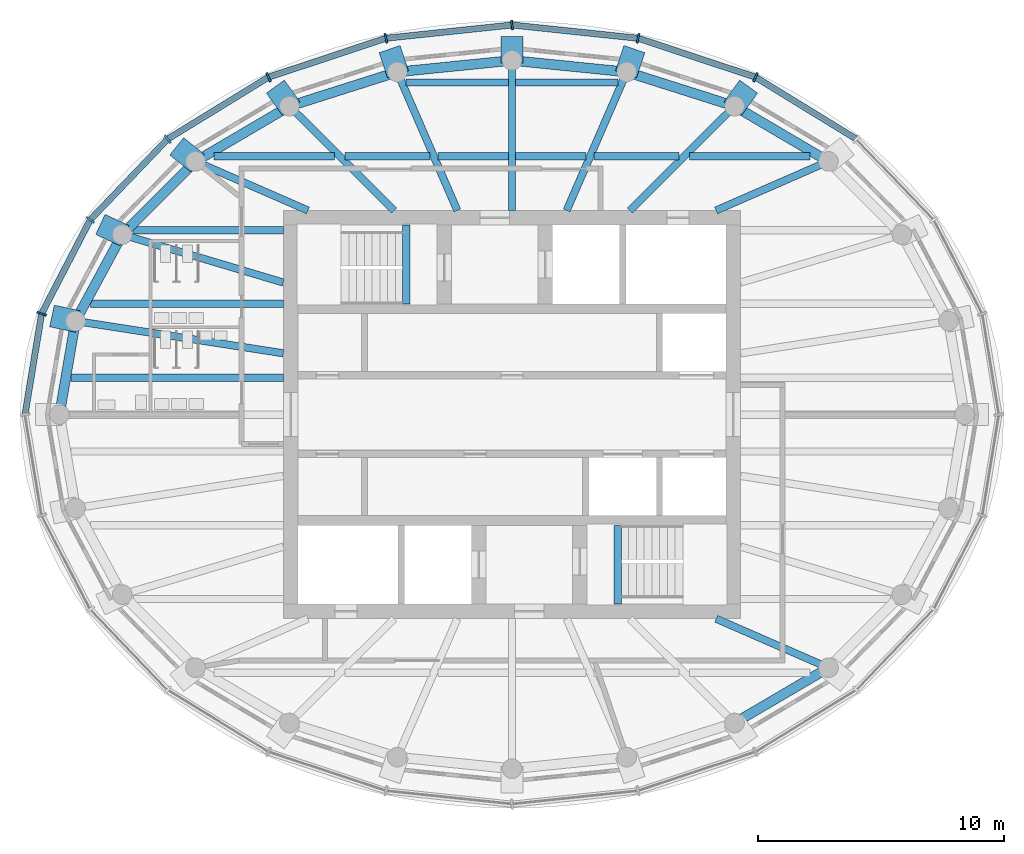
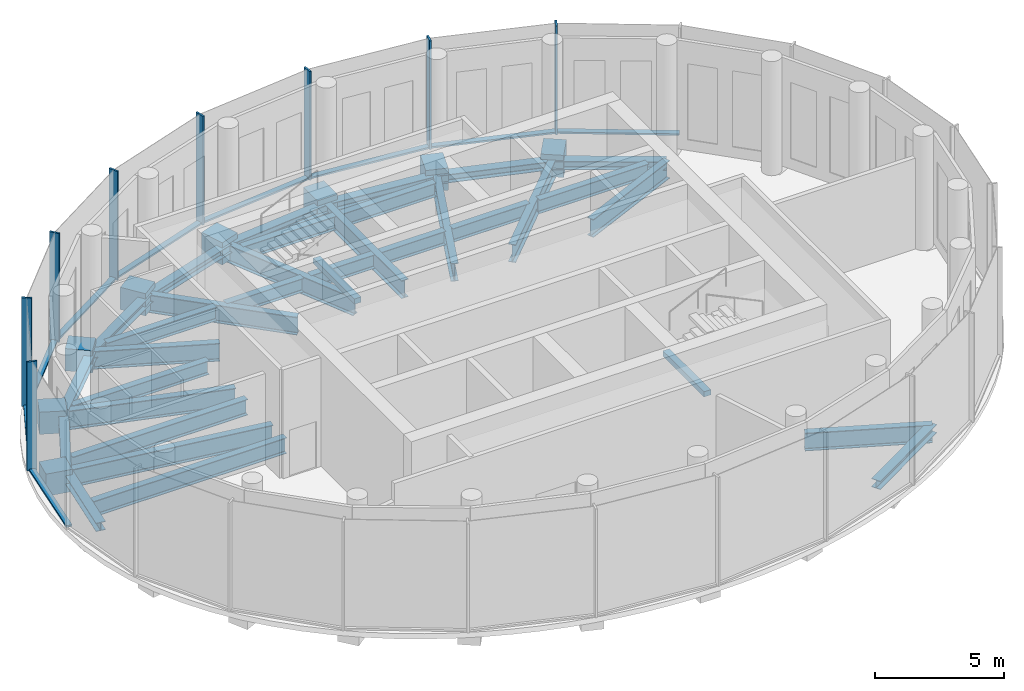
# One storey, part 2 of 11: 41 beams, 17 members, 2 elements without a shape of their own.
"""IFC4 building model written with IfcOpenShell, lengths in metres."""

from ifc_helpers import new_model, si_unit, direction, frame, origin, origin_2d, place, context, subcontext, project, spatial, rectangle, i_section, extrude, material, material_profile, profile_set, type_object, element, aggregate, save


model = new_model("IFC4")

# Units and contexts
model_context = context("Model", 3, precision=1e-05, world=origin(), true_north=direction((0.0, 1.0)))
body_context = subcontext(model_context, "Body", "Model", "MODEL_VIEW")
ifc_project = project(units=[si_unit("LENGTHUNIT", "METRE"), si_unit("AREAUNIT", "SQUARE_METRE"), si_unit("VOLUMEUNIT", "CUBIC_METRE"), si_unit("PLANEANGLEUNIT", "RADIAN"), si_unit("MASSUNIT", "GRAM", prefix="KILO")], contexts=[model_context])

# Site, building, storey
site_placement = place(None, origin())
site = spatial("IfcSite", under=ifc_project, at=site_placement, CompositionType="ELEMENT")
building_placement = place(site_placement, origin())
building = spatial("IfcBuilding", under=site, at=building_placement, Name="Hankou Lantern Tower", CompositionType="ELEMENT")
storey_placement = place(building_placement, frame((0.0, 0.0, 237.300048828125)))
storey = spatial("IfcBuildingStorey", under=building, at=storey_placement, Name="L64", CompositionType="ELEMENT", Elevation=237.300048828125)

# Beams
ifc_material_1 = material(Name="Steel Q355B", Category="steel")
ifc_material_profile_1 = material_profile(ifc_material_1, i_section(OverallWidth=0.39990234375, OverallDepth=0.39990234375, WebThickness=0.012939453125, FlangeThickness=0.02099609375, FilletRadius=0.02197265625, at=origin_2d()), Name="HW400x400x13x21")
ifc_profile_set_1 = profile_set([ifc_material_profile_1], Name="Steel Q355B")
beam_type_1 = type_object("IfcBeamType", Name="EB19 RING BEAM HW400x400x13x21", PredefinedType="SPANDREL", material=ifc_profile_set_1)
beam_1_placement = place(storey_placement, frame((12.866943359375, 10.293701171875, -0.449951171875), z_axis=(-0.862064554074, 0.506798485207, 0.0), x_axis=(-0.506798485207, -0.862064554074, 0.0)))
element("IfcBeam", 1, at=beam_1_placement, inside=storey, type_object=beam_type_1, Name="Ring beam R04-R05 L64", PredefinedType="SPANDREL", context=body_context, shape_type="SweptSolid", body=[
    extrude(i_section(OverallWidth=0.39990234375, OverallDepth=0.39990234375, WebThickness=0.012939453125, FlangeThickness=0.02099609375, FilletRadius=0.02197265625, at=origin_2d()), origin(), (0.0, 0.0, 1.0), 4.428955078125),
])
beam_2_placement = place(storey_placement, frame((9.048828125, 12.538330078125, -0.449951171875), z_axis=(-0.953150024165, 0.302497985836, 0.0), x_axis=(-0.302497985836, -0.953150024165, 0.0)))
element("IfcBeam", 2, at=beam_2_placement, inside=storey, type_object=beam_type_1, Name="Ring beam R05-R06 L64", PredefinedType="SPANDREL", context=body_context, shape_type="SweptSolid", body=[
    extrude(i_section(OverallWidth=0.39990234375, OverallDepth=0.39990234375, WebThickness=0.012939453125, FlangeThickness=0.02099609375, FilletRadius=0.02197265625, at=origin_2d()), origin(), (0.0, 0.0, 1.0), 4.5986328125),
])
for number, where, z_axis, x_axis, name in (
    (3, (4.66552734375, 13.929443359375, -0.449951171875), (-0.994954369815, 0.100328470467, 0.0), (-0.100328470467, -0.994954369815, 0.0), "Ring beam R06-R07 L64"),
    (4, (0.0, 14.39990234375, -0.449951171875), (-0.994954369815, -0.100328470467, 0.0), (0.100328470467, -0.994954369815, 0.0), "Ring beam R07-R08 L64"),
):
    element("IfcBeam", number, at=place(storey_placement, frame(where, z_axis=z_axis, x_axis=x_axis)), inside=storey, type_object=beam_type_1, Name=name, PredefinedType="SPANDREL", context=body_context, shape_type="SweptSolid", body=[
        extrude(i_section(OverallWidth=0.39990234375, OverallDepth=0.39990234375, WebThickness=0.012939453125, FlangeThickness=0.02099609375, FilletRadius=0.02197265625, at=origin_2d()), origin(), (0.0, 0.0, 1.0), 4.689208984375),
    ])
beam_3_placement = place(storey_placement, frame((-4.66552734375, 13.929443359375, -0.449951171875), z_axis=(-0.953150024165, -0.302497985836, 0.0), x_axis=(0.302497985836, -0.953150024165, 0.0)))
element("IfcBeam", 5, at=beam_3_placement, inside=storey, type_object=beam_type_1, Name="Ring beam R08-R09 L64", PredefinedType="SPANDREL", context=body_context, shape_type="SweptSolid", body=[
    extrude(i_section(OverallWidth=0.39990234375, OverallDepth=0.39990234375, WebThickness=0.012939453125, FlangeThickness=0.02099609375, FilletRadius=0.02197265625, at=origin_2d()), origin(), (0.0, 0.0, 1.0), 4.5986328125),
])
beam_4_placement = place(storey_placement, frame((-9.048828125, 12.538330078125, -0.449951171875), z_axis=(-0.862064554074, -0.506798485207, 0.0), x_axis=(0.506798485207, -0.862064554074, 0.0)))
element("IfcBeam", 6, at=beam_4_placement, inside=storey, type_object=beam_type_1, Name="Ring beam R09-R10 L64", PredefinedType="SPANDREL", context=body_context, shape_type="SweptSolid", body=[
    extrude(i_section(OverallWidth=0.39990234375, OverallDepth=0.39990234375, WebThickness=0.012939453125, FlangeThickness=0.02099609375, FilletRadius=0.02197265625, at=origin_2d()), origin(), (0.0, 0.0, 1.0), 4.428955078125),
])
beam_5_placement = place(storey_placement, frame((-12.866943359375, 10.293701171875, -0.449951171875), z_axis=(-0.707657475865, -0.706555657293, 0.0), x_axis=(0.706555657293, -0.707657475865, 0.0)))
element("IfcBeam", 7, at=beam_5_placement, inside=storey, type_object=beam_type_1, Name="Ring beam R10-R11 L64", PredefinedType="SPANDREL", context=body_context, shape_type="SweptSolid", body=[
    extrude(i_section(OverallWidth=0.39990234375, OverallDepth=0.39990234375, WebThickness=0.012939453125, FlangeThickness=0.02099609375, FilletRadius=0.02197265625, at=origin_2d()), origin(), (0.0, 0.0, 1.0), 4.2099609375),
])
beam_6_placement = place(storey_placement, frame((-15.84619140625, 7.319091796875, -0.449951171875), z_axis=(-0.475556651725, -0.879685097634, 0.0), x_axis=(0.879685097634, -0.475556651725, 0.0)))
element("IfcBeam", 8, at=beam_6_placement, inside=storey, type_object=beam_type_1, Name="Ring beam R11-R12 L64", PredefinedType="SPANDREL", context=body_context, shape_type="SweptSolid", body=[
    extrude(i_section(OverallWidth=0.39990234375, OverallDepth=0.39990234375, WebThickness=0.012939453125, FlangeThickness=0.02099609375, FilletRadius=0.02197265625, at=origin_2d()), origin(), (0.0, 0.0, 1.0), 3.99560546875),
])
beam_7_placement = place(storey_placement, frame((-17.746337890625, 3.80419921875, -0.449951171875), z_axis=(-0.169320180804, -0.98556109723, 0.0), x_axis=(0.98556109723, -0.169320180804, 0.0)))
element("IfcBeam", 9, at=beam_7_placement, inside=storey, type_object=beam_type_1, Name="Ring beam R12-R13 L64", PredefinedType="SPANDREL", context=body_context, shape_type="SweptSolid", body=[
    extrude(i_section(OverallWidth=0.39990234375, OverallDepth=0.39990234375, WebThickness=0.012939453125, FlangeThickness=0.02099609375, FilletRadius=0.02197265625, at=origin_2d()), origin(), (0.0, 0.0, 1.0), 3.85986328125),
])
beam_8_placement = place(storey_placement, frame((9.048828125, -12.538330078125, -0.449951171875), z_axis=(0.862064554074, 0.506798485207, 0.0), x_axis=(-0.506798485207, 0.862064554074, 0.0)))
element("IfcBeam", 10, at=beam_8_placement, inside=storey, type_object=beam_type_1, Name="Ring beam R21-R22 L64", PredefinedType="SPANDREL", context=body_context, shape_type="SweptSolid", body=[
    extrude(i_section(OverallWidth=0.39990234375, OverallDepth=0.39990234375, WebThickness=0.012939453125, FlangeThickness=0.02099609375, FilletRadius=0.02197265625, at=origin_2d()), origin(), (0.0, 0.0, 1.0), 4.428955078125),
])
ifc_material_2 = material(Name="Concrete C40", Category="concrete")
ifc_material_profile_2 = material_profile(ifc_material_2, rectangle(XDim=0.300048828125, YDim=0.25, at=origin_2d()), Name="RC 300x250")
ifc_profile_set_2 = profile_set([ifc_material_profile_2], Name="Concrete C40")
beam_type_2 = type_object("IfcBeamType", Name="LB1 STAIR LANDING BEAM RC 300x250", PredefinedType="BEAM", material=ifc_profile_set_2)
for number, where, z_axis, x_axis, name in (
    (11, (-4.300048828125, 4.5, 2.574951171875), (0.0, 1.0, 0.0), (-1.0, 0.0, 0.0), "Stair STA landing beam L64"),
    (12, (4.300048828125, -4.5, 2.574951171875), (0.0, -1.0, 0.0), (1.0, 0.0, 0.0), "Stair STB landing beam L64"),
):
    element("IfcBeam", number, at=place(storey_placement, frame(where, z_axis=z_axis, x_axis=x_axis)), inside=storey, type_object=beam_type_2, Name=name, PredefinedType="BEAM", context=body_context, shape_type="SweptSolid", body=[
        extrude(rectangle(XDim=0.300048828125, YDim=0.25, at=origin_2d()), origin(), (0.0, 0.0, 1.0), 3.199951171875),
    ])

# Curtain wall, members
ifc_material_3 = material(Name="Glass, dark grey tinted laminated", Category="glass")
curtain_wall_type = type_object("IfcCurtainWallType", Name="CWE OUTER SKIN CROWN", PredefinedType="USERDEFINED", material=ifc_material_3)
curtain_wall_1_placement = place(storey_placement, origin())
curtain_wall_1 = element("IfcCurtainWall", 13, at=curtain_wall_1_placement, inside=storey, type_object=curtain_wall_type, Name="CWE L64 OS1", ObjectType="OUTER SKIN CROWN", PredefinedType="USERDEFINED")
ifc_material_4 = material(Name="Aluminium, black anodised", Category="aluminium")
ifc_material_profile_3 = material_profile(ifc_material_4, rectangle(XDim=0.080078125, YDim=0.39990234375, at=origin_2d()), Name="MU3 80X400")
ifc_profile_set_3 = profile_set([ifc_material_profile_3], Name="Aluminium, black anodised")
member_type_1 = type_object("IfcMemberType", Name="MU3 OUTER SKIN TALL MULLION 80X400", PredefinedType="MULLION", material=ifc_profile_set_3)
member_1_placement = place(storey_placement, frame((9.89990234375, 13.7177734375, 0.0), z_axis=(0.0, 0.0, 1.0), x_axis=(-0.907841299004, 0.419313934686, 0.0)))
member_1 = element("IfcMember", 14, at=member_1_placement, type_object=member_type_1, Name="CWE mullion 5", PredefinedType="MULLION", context=body_context, shape_type="SweptSolid", body=[
    extrude(rectangle(XDim=0.080078125, YDim=0.39990234375, at=origin_2d()), origin(), (0.0, 0.0, 1.0), 5.14990234375),
])
member_2_placement = place(storey_placement, frame((5.12451171875, 15.30029296875, 0.0), z_axis=(0.0, 0.0, 1.0), x_axis=(-0.977787659625, 0.209597931016, 0.0)))
member_2 = element("IfcMember", 15, at=member_2_placement, type_object=member_type_1, Name="CWE mullion 6", PredefinedType="MULLION", context=body_context, shape_type="SweptSolid", body=[
    extrude(rectangle(XDim=0.080078125, YDim=0.39990234375, at=origin_2d()), origin(), (0.0, 0.0, 1.0), 5.14990234375),
])

curtain_wall_2_placement = place(storey_placement, origin())
curtain_wall_2 = element("IfcCurtainWall", 16, at=curtain_wall_2_placement, inside=storey, type_object=curtain_wall_type, Name="CWE L64 OS2", ObjectType="OUTER SKIN CROWN", PredefinedType="USERDEFINED")
member_3_placement = place(storey_placement, frame((0.0, 15.840087890625, 0.0), z_axis=(0.0, 0.0, 1.0), x_axis=(-0.994499359107, -0.104742659579, 0.0)))
member_3 = element("IfcMember", 17, at=member_3_placement, type_object=member_type_1, Name="CWE mullion 1", PredefinedType="MULLION", context=body_context, shape_type="SweptSolid", body=[
    extrude(rectangle(XDim=0.080078125, YDim=0.39990234375, at=origin_2d()), origin(), (0.0, 0.0, 1.0), 5.14990234375),
])
member_4_placement = place(storey_placement, frame((-5.12451171875, 15.30029296875, 0.0), z_axis=(0.0, 0.0, 1.0), x_axis=(-0.977787659625, -0.209597931016, 0.0)))
member_4 = element("IfcMember", 18, at=member_4_placement, type_object=member_type_1, Name="CWE mullion 2", PredefinedType="MULLION", context=body_context, shape_type="SweptSolid", body=[
    extrude(rectangle(XDim=0.080078125, YDim=0.39990234375, at=origin_2d()), origin(), (0.0, 0.0, 1.0), 5.14990234375),
])
member_5_placement = place(storey_placement, frame((-9.89990234375, 13.7177734375, 0.0), z_axis=(0.0, 0.0, 1.0), x_axis=(-0.907841299004, -0.419313934686, 0.0)))
member_5 = element("IfcMember", 19, at=member_5_placement, type_object=member_type_1, Name="CWE mullion 3", PredefinedType="MULLION", context=body_context, shape_type="SweptSolid", body=[
    extrude(rectangle(XDim=0.080078125, YDim=0.39990234375, at=origin_2d()), origin(), (0.0, 0.0, 1.0), 5.14990234375),
])
member_6_placement = place(storey_placement, frame((-14.000732421875, 11.20068359375, 0.0), z_axis=(0.0, 0.0, 1.0), x_axis=(-0.780868809444, -0.624695047553, 0.0)))
member_6 = element("IfcMember", 20, at=member_6_placement, type_object=member_type_1, Name="CWE mullion 4", PredefinedType="MULLION", context=body_context, shape_type="SweptSolid", body=[
    extrude(rectangle(XDim=0.080078125, YDim=0.39990234375, at=origin_2d()), origin(), (0.0, 0.0, 1.0), 5.14990234375),
])
member_7_placement = place(storey_placement, frame((-17.147216796875, 7.919921875, 0.0), z_axis=(0.0, 0.0, 1.0), x_axis=(-0.585205735974, -0.810884854084, 0.0)))
member_7 = element("IfcMember", 21, at=member_7_placement, type_object=member_type_1, Name="CWE mullion 5", PredefinedType="MULLION", context=body_context, shape_type="SweptSolid", body=[
    extrude(rectangle(XDim=0.080078125, YDim=0.39990234375, at=origin_2d()), origin(), (0.0, 0.0, 1.0), 5.14990234375),
])
member_8_placement = place(storey_placement, frame((-19.125244140625, 4.099609375, 0.0), z_axis=(0.0, 0.0, 1.0), x_axis=(-0.317595577365, -0.94822626479, 0.0)))
member_8 = element("IfcMember", 22, at=member_8_placement, type_object=member_type_1, Name="CWE mullion 6", PredefinedType="MULLION", context=body_context, shape_type="SweptSolid", body=[
    extrude(rectangle(XDim=0.080078125, YDim=0.39990234375, at=origin_2d()), origin(), (0.0, 0.0, 1.0), 5.14990234375),
])

# Beams
ifc_material_5 = material(Name="Steel Q355B", Category="steel")
ifc_material_profile_4 = material_profile(ifc_material_5, i_section(OverallWidth=0.300048828125, OverallDepth=0.85009765625, WebThickness=0.01611328125, FlangeThickness=0.027099609375, FilletRadius=0.01806640625, at=origin_2d()), Name="HN850x300x16x27")
ifc_profile_set_4 = profile_set([ifc_material_profile_4], Name="Steel Q355B")
beam_type_3 = type_object("IfcBeamType", Name="RB12 RADIAL BEAM HN850x300x16x27", PredefinedType="BEAM", material=ifc_profile_set_4)
beam_9_placement = place(storey_placement, frame((8.300048828125, 8.300048828125, -0.675048828125), z_axis=(0.91647863232, 0.400083636882, 0.0), x_axis=(-0.400083636882, 0.91647863232, 0.0)))
element("IfcBeam", 23, at=beam_9_placement, inside=storey, type_object=beam_type_3, Name="Radial beam R04 L64", PredefinedType="BEAM", context=body_context, shape_type="SweptSolid", body=[
    extrude(i_section(OverallWidth=0.300048828125, OverallDepth=0.85009765625, WebThickness=0.01611328125, FlangeThickness=0.027099609375, FilletRadius=0.01806640625, at=origin_2d()), origin(), (0.0, 0.0, 1.0), 4.983154296875),
])
beam_10_placement = place(storey_placement, frame((4.7919921875, 8.300048828125, -0.675048828125), z_axis=(0.708649524574, 0.705560664522, 0.0), x_axis=(-0.705560664522, 0.708649524574, 0.0)))
element("IfcBeam", 24, at=beam_10_placement, inside=storey, type_object=beam_type_3, Name="Radial beam R05 L64", PredefinedType="BEAM", context=body_context, shape_type="SweptSolid", body=[
    extrude(i_section(OverallWidth=0.300048828125, OverallDepth=0.85009765625, WebThickness=0.01611328125, FlangeThickness=0.027099609375, FilletRadius=0.01806640625, at=origin_2d()), origin(), (0.0, 0.0, 1.0), 6.007080078125),
])
beam_11_placement = place(storey_placement, frame((2.223876953125, 8.300048828125, -0.675048828125), z_axis=(0.397915592164, 0.917422030209, 0.0), x_axis=(-0.917422030209, 0.397915592164, 0.0)))
element("IfcBeam", 25, at=beam_11_placement, inside=storey, type_object=beam_type_3, Name="Radial beam R06 L64", PredefinedType="BEAM", context=body_context, shape_type="SweptSolid", body=[
    extrude(i_section(OverallWidth=0.300048828125, OverallDepth=0.85009765625, WebThickness=0.01611328125, FlangeThickness=0.027099609375, FilletRadius=0.01806640625, at=origin_2d()), origin(), (0.0, 0.0, 1.0), 6.135986328125),
])
beam_12_placement = place(storey_placement, frame((0.0, 8.300048828125, -0.675048828125), z_axis=(0.0, 1.0, 0.0), x_axis=(-1.0, 0.0, 0.0)))
element("IfcBeam", 26, at=beam_12_placement, inside=storey, type_object=beam_type_3, Name="Radial beam R07 L64", PredefinedType="BEAM", context=body_context, shape_type="SweptSolid", body=[
    extrude(i_section(OverallWidth=0.300048828125, OverallDepth=0.85009765625, WebThickness=0.01611328125, FlangeThickness=0.027099609375, FilletRadius=0.01806640625, at=origin_2d()), origin(), (0.0, 0.0, 1.0), 6.099853515625),
])
beam_13_placement = place(storey_placement, frame((-2.223876953125, 8.300048828125, -0.675048828125), z_axis=(-0.397915592164, 0.917422030209, 0.0), x_axis=(-0.917422030209, -0.397915592164, 0.0)))
element("IfcBeam", 27, at=beam_13_placement, inside=storey, type_object=beam_type_3, Name="Radial beam R08 L64", PredefinedType="BEAM", context=body_context, shape_type="SweptSolid", body=[
    extrude(i_section(OverallWidth=0.300048828125, OverallDepth=0.85009765625, WebThickness=0.01611328125, FlangeThickness=0.027099609375, FilletRadius=0.01806640625, at=origin_2d()), origin(), (0.0, 0.0, 1.0), 6.135986328125),
])
beam_14_placement = place(storey_placement, frame((-4.7919921875, 8.300048828125, -0.675048828125), z_axis=(-0.708649524574, 0.705560664522, 0.0), x_axis=(-0.705560664522, -0.708649524574, 0.0)))
element("IfcBeam", 28, at=beam_14_placement, inside=storey, type_object=beam_type_3, Name="Radial beam R09 L64", PredefinedType="BEAM", context=body_context, shape_type="SweptSolid", body=[
    extrude(i_section(OverallWidth=0.300048828125, OverallDepth=0.85009765625, WebThickness=0.01611328125, FlangeThickness=0.027099609375, FilletRadius=0.01806640625, at=origin_2d()), origin(), (0.0, 0.0, 1.0), 6.007080078125),
])
beam_15_placement = place(storey_placement, frame((-8.300048828125, 8.300048828125, -0.675048828125), z_axis=(-0.91647863232, 0.400083636882, 0.0), x_axis=(-0.400083636882, -0.91647863232, 0.0)))
element("IfcBeam", 29, at=beam_15_placement, inside=storey, type_object=beam_type_3, Name="Radial beam R10 L64", PredefinedType="BEAM", context=body_context, shape_type="SweptSolid", body=[
    extrude(i_section(OverallWidth=0.300048828125, OverallDepth=0.85009765625, WebThickness=0.01611328125, FlangeThickness=0.027099609375, FilletRadius=0.01806640625, at=origin_2d()), origin(), (0.0, 0.0, 1.0), 4.983154296875),
])
beam_16_placement = place(storey_placement, frame((-9.300048828125, 2.491943359375, -0.675048828125), z_axis=(-0.988145083079, 0.153522945472, 0.0), x_axis=(-0.153522945472, -0.988145083079, 0.0)))
element("IfcBeam", 30, at=beam_16_placement, inside=storey, type_object=beam_type_3, Name="Radial beam R12 L64", PredefinedType="BEAM", context=body_context, shape_type="SweptSolid", body=[
    extrude(i_section(OverallWidth=0.300048828125, OverallDepth=0.85009765625, WebThickness=0.01611328125, FlangeThickness=0.027099609375, FilletRadius=0.01806640625, at=origin_2d()), origin(), (0.0, 0.0, 1.0), 8.547607421875),
])
beam_17_placement = place(storey_placement, frame((8.300048828125, -8.300048828125, -0.675048828125), z_axis=(0.91647863232, -0.400083636882, 0.0), x_axis=(0.400083636882, 0.91647863232, 0.0)))
element("IfcBeam", 31, at=beam_17_placement, inside=storey, type_object=beam_type_3, Name="Radial beam R22 L64", PredefinedType="BEAM", context=body_context, shape_type="SweptSolid", body=[
    extrude(i_section(OverallWidth=0.300048828125, OverallDepth=0.85009765625, WebThickness=0.01611328125, FlangeThickness=0.027099609375, FilletRadius=0.01806640625, at=origin_2d()), origin(), (0.0, 0.0, 1.0), 4.983154296875),
])
ifc_material_6 = material(Name="Steel Q355B", Category="steel")
ifc_material_profile_5 = material_profile(ifc_material_6, i_section(OverallWidth=0.300048828125, OverallDepth=0.89990234375, WebThickness=0.01611328125, FlangeThickness=0.028076171875, FilletRadius=0.01806640625, at=origin_2d()), Name="HN900x300x16x28")
ifc_profile_set_5 = profile_set([ifc_material_profile_5], Name="Steel Q355B")
beam_type_4 = type_object("IfcBeamType", Name="RB13 RADIAL BEAM HN900x300x16x28", PredefinedType="BEAM", material=ifc_profile_set_5)
beam_18_placement = place(storey_placement, frame((-9.300048828125, 5.369384765625, -0.699951171875), z_axis=(-0.958394006021, 0.285448645511, 0.0), x_axis=(-0.285448645511, -0.958394006021, 0.0)))
element("IfcBeam", 32, at=beam_18_placement, inside=storey, type_object=beam_type_4, Name="Radial beam R11 L64", PredefinedType="BEAM", context=body_context, shape_type="SweptSolid", body=[
    extrude(i_section(OverallWidth=0.300048828125, OverallDepth=0.89990234375, WebThickness=0.01611328125, FlangeThickness=0.028076171875, FilletRadius=0.01806640625, at=origin_2d()), origin(), (0.0, 0.0, 1.0), 6.830322265625),
])
ifc_material_7 = material(Name="Steel Q355B", Category="steel")
ifc_material_profile_6 = material_profile(ifc_material_7, i_section(OverallWidth=0.300048828125, OverallDepth=0.75, WebThickness=0.012939453125, FlangeThickness=0.02392578125, FilletRadius=0.01806640625, at=origin_2d()), Name="HN750x300x13x24")
ifc_profile_set_6 = profile_set([ifc_material_profile_6], Name="Steel Q355B")
beam_type_5 = type_object("IfcBeamType", Name="SB10 SECONDARY BEAM HN750x300x13x24", PredefinedType="JOIST", material=ifc_profile_set_6)
beam_19_placement = place(storey_placement, frame((-17.939453125, 1.5, -0.625), z_axis=(1.0, 0.0, 0.0), x_axis=(0.0, 1.0, 0.0)))
element("IfcBeam", 33, at=beam_19_placement, inside=storey, type_object=beam_type_5, Name="Floor joist J013 L64", PredefinedType="JOIST", context=body_context, shape_type="SweptSolid", body=[
    extrude(i_section(OverallWidth=0.300048828125, OverallDepth=0.75, WebThickness=0.012939453125, FlangeThickness=0.02392578125, FilletRadius=0.01806640625, at=origin_2d()), origin(), (0.0, 0.0, 1.0), 8.639404296875),
])
beam_20_placement = place(storey_placement, frame((-17.142822265625, 4.5, -0.625), z_axis=(1.0, 0.0, 0.0), x_axis=(0.0, 1.0, 0.0)))
element("IfcBeam", 34, at=beam_20_placement, inside=storey, type_object=beam_type_5, Name="Floor joist J015 L64", PredefinedType="JOIST", context=body_context, shape_type="SweptSolid", body=[
    extrude(i_section(OverallWidth=0.300048828125, OverallDepth=0.75, WebThickness=0.012939453125, FlangeThickness=0.02392578125, FilletRadius=0.01806640625, at=origin_2d()), origin(), (0.0, 0.0, 1.0), 7.8427734375),
])
ifc_material_8 = material(Name="Steel Q355B", Category="steel")
ifc_material_profile_7 = material_profile(ifc_material_8, i_section(OverallWidth=0.300048828125, OverallDepth=0.64990234375, WebThickness=0.010986328125, FlangeThickness=0.01708984375, FilletRadius=0.01806640625, at=origin_2d()), Name="HN650x300x11x17")
ifc_profile_set_7 = profile_set([ifc_material_profile_7], Name="Steel Q355B")
beam_type_6 = type_object("IfcBeamType", Name="SB8 SECONDARY BEAM HN650x300x11x17", PredefinedType="JOIST", material=ifc_profile_set_7)
beam_21_placement = place(storey_placement, frame((-15.3818359375, 7.5, -0.574951171875), z_axis=(1.0, 0.0, 0.0), x_axis=(0.0, 1.0, 0.0)))
element("IfcBeam", 35, at=beam_21_placement, inside=storey, type_object=beam_type_6, Name="Floor joist J017 L64", PredefinedType="JOIST", context=body_context, shape_type="SweptSolid", body=[
    extrude(i_section(OverallWidth=0.300048828125, OverallDepth=0.64990234375, WebThickness=0.010986328125, FlangeThickness=0.01708984375, FilletRadius=0.01806640625, at=origin_2d()), origin(), (0.0, 0.0, 1.0), 6.081787109375),
])
beam_22_placement = place(storey_placement, frame((-12.121337890625, 10.5, -0.574951171875), z_axis=(1.0, 0.0, 0.0), x_axis=(0.0, 1.0, 0.0)))
element("IfcBeam", 36, at=beam_22_placement, inside=storey, type_object=beam_type_6, Name="Floor joist J019 L64", PredefinedType="JOIST", context=body_context, shape_type="SweptSolid", body=[
    extrude(i_section(OverallWidth=0.300048828125, OverallDepth=0.64990234375, WebThickness=0.010986328125, FlangeThickness=0.01708984375, FilletRadius=0.01806640625, at=origin_2d()), origin(), (0.0, 0.0, 1.0), 4.9072265625),
])
beam_23_placement = place(storey_placement, frame((-6.7890625, 10.5, -0.574951171875), z_axis=(1.0, 0.0, 0.0), x_axis=(0.0, 1.0, 0.0)))
element("IfcBeam", 37, at=beam_23_placement, inside=storey, type_object=beam_type_6, Name="Floor joist J020 L64", PredefinedType="JOIST", context=body_context, shape_type="SweptSolid", body=[
    extrude(i_section(OverallWidth=0.300048828125, OverallDepth=0.64990234375, WebThickness=0.010986328125, FlangeThickness=0.01708984375, FilletRadius=0.01806640625, at=origin_2d()), origin(), (0.0, 0.0, 1.0), 3.447509765625),
])
for number, where, z_axis, x_axis, name in (
    (38, (-3.0146484375, 10.5, -0.574951171875), (1.0, 0.0, 0.0), (0.0, 1.0, 0.0), "Floor joist J021 L64"),
    (39, (0.14990234375, 10.5, -0.574951171875), (1.0, 0.0, 0.0), (0.0, 1.0, 0.0), "Floor joist J022 L64"),
):
    element("IfcBeam", number, at=place(storey_placement, frame(where, z_axis=z_axis, x_axis=x_axis)), inside=storey, type_object=beam_type_6, Name=name, PredefinedType="JOIST", context=body_context, shape_type="SweptSolid", body=[
        extrude(i_section(OverallWidth=0.300048828125, OverallDepth=0.64990234375, WebThickness=0.010986328125, FlangeThickness=0.01708984375, FilletRadius=0.01806640625, at=origin_2d()), origin(), (0.0, 0.0, 1.0), 2.86474609375),
    ])
beam_24_placement = place(storey_placement, frame((3.341552734375, 10.5, -0.574951171875), z_axis=(1.0, 0.0, 0.0), x_axis=(0.0, 1.0, 0.0)))
element("IfcBeam", 40, at=beam_24_placement, inside=storey, type_object=beam_type_6, Name="Floor joist J023 L64", PredefinedType="JOIST", context=body_context, shape_type="SweptSolid", body=[
    extrude(i_section(OverallWidth=0.300048828125, OverallDepth=0.64990234375, WebThickness=0.010986328125, FlangeThickness=0.01708984375, FilletRadius=0.01806640625, at=origin_2d()), origin(), (0.0, 0.0, 1.0), 3.447509765625),
])
beam_25_placement = place(storey_placement, frame((7.214111328125, 10.5, -0.574951171875), z_axis=(1.0, 0.0, 0.0), x_axis=(0.0, 1.0, 0.0)))
element("IfcBeam", 41, at=beam_25_placement, inside=storey, type_object=beam_type_6, Name="Floor joist J024 L64", PredefinedType="JOIST", context=body_context, shape_type="SweptSolid", body=[
    extrude(i_section(OverallWidth=0.300048828125, OverallDepth=0.64990234375, WebThickness=0.010986328125, FlangeThickness=0.01708984375, FilletRadius=0.01806640625, at=origin_2d()), origin(), (0.0, 0.0, 1.0), 4.9072265625),
])
for number, where, z_axis, x_axis, name in (
    (42, (-4.315673828125, 13.5, -0.574951171875), (1.0, 0.0, 0.0), (0.0, 1.0, 0.0), "Floor joist J025 L64"),
    (43, (0.14990234375, 13.5, -0.574951171875), (1.0, 0.0, 0.0), (0.0, 1.0, 0.0), "Floor joist J026 L64"),
):
    element("IfcBeam", number, at=place(storey_placement, frame(where, z_axis=z_axis, x_axis=x_axis)), inside=storey, type_object=beam_type_6, Name=name, PredefinedType="JOIST", context=body_context, shape_type="SweptSolid", body=[
        extrude(i_section(OverallWidth=0.300048828125, OverallDepth=0.64990234375, WebThickness=0.010986328125, FlangeThickness=0.01708984375, FilletRadius=0.01806640625, at=origin_2d()), origin(), (0.0, 0.0, 1.0), 4.165771484375),
    ])
ifc_material_9 = material(Name="Concrete C50", Category="concrete")
ifc_material_profile_8 = material_profile(ifc_material_9, rectangle(XDim=0.89990234375, YDim=1.050048828125, at=origin_2d()), Name="RC 900x1050")
ifc_profile_set_8 = profile_set([ifc_material_profile_8], Name="Concrete C50")
beam_type_7 = type_object("IfcBeamType", Name="TN4 TRANSFER NODE RC 900x1050", PredefinedType="BEAM", material=ifc_profile_set_8)
for number, where, z_axis, x_axis, name in (
    (44, (9.622314453125, 13.3330078125, -0.525146484375), (-0.585251178106, -0.810852057114, 0.0), (0.810852057114, -0.585251178106, 0.0), "Transfer node R05 L64"),
    (45, (4.976806640625, 14.858642578125, -0.525146484375), (-0.317583672079, -0.948230252222, 0.0), (0.948230252222, -0.317583672079, 0.0), "Transfer node R06 L64"),
):
    element("IfcBeam", number, at=place(storey_placement, frame(where, z_axis=z_axis, x_axis=x_axis)), inside=storey, type_object=beam_type_7, Name=name, PredefinedType="BEAM", context=body_context, shape_type="SweptSolid", body=[
        extrude(rectangle(XDim=0.89990234375, YDim=1.050048828125, at=origin_2d()), origin(), (0.0, 0.0, 1.0), 1.080078125),
    ])
beam_26_placement = place(storey_placement, frame((0.0, 15.3798828125, -0.525146484375), z_axis=(0.0, -1.0, 0.0), x_axis=(1.0, 0.0, 0.0)))
element("IfcBeam", 46, at=beam_26_placement, inside=storey, type_object=beam_type_7, Name="Transfer node R07 L64", PredefinedType="BEAM", context=body_context, shape_type="SweptSolid", body=[
    extrude(rectangle(XDim=0.89990234375, YDim=1.050048828125, at=origin_2d()), origin(), (0.0, 0.0, 1.0), 1.079833984375),
])
for number, where, z_axis, x_axis, name in (
    (47, (-4.976806640625, 14.858642578125, -0.525146484375), (0.317583672079, -0.948230252222, 0.0), (0.948230252222, 0.317583672079, 0.0), "Transfer node R08 L64"),
    (48, (-9.622314453125, 13.3330078125, -0.525146484375), (0.585251178106, -0.810852057114, 0.0), (0.810852057114, 0.585251178106, 0.0), "Transfer node R09 L64"),
    (49, (-13.63232421875, 10.90576171875, -0.525146484375), (0.780979062227, -0.624557206638, 0.0), (0.624557206638, 0.780979062227, 0.0), "Transfer node R10 L64"),
    (50, (-16.73583984375, 7.72998046875, -0.525146484375), (0.907833635463, -0.419330526341, 0.0), (0.419330526341, 0.907833635463, 0.0), "Transfer node R11 L64"),
):
    element("IfcBeam", number, at=place(storey_placement, frame(where, z_axis=z_axis, x_axis=x_axis)), inside=storey, type_object=beam_type_7, Name=name, PredefinedType="BEAM", context=body_context, shape_type="SweptSolid", body=[
        extrude(rectangle(XDim=0.89990234375, YDim=1.050048828125, at=origin_2d()), origin(), (0.0, 0.0, 1.0), 1.080078125),
    ])
beam_27_placement = place(storey_placement, frame((-18.70458984375, 4.009521484375, -0.525146484375), z_axis=(0.977792487553, -0.209575407159, 0.0), x_axis=(0.209575407159, 0.977792487553, 0.0)))
element("IfcBeam", 51, at=beam_27_placement, inside=storey, type_object=beam_type_7, Name="Transfer node R12 L64", PredefinedType="BEAM", context=body_context, shape_type="SweptSolid", body=[
    extrude(rectangle(XDim=0.89990234375, YDim=1.050048828125, at=origin_2d()), origin(), (0.0, 0.0, 1.0), 1.079833984375),
])

# Member
ifc_material_10 = material(Name="Aluminium, black anodised", Category="aluminium")
ifc_material_profile_9 = material_profile(ifc_material_10, rectangle(XDim=0.25, YDim=0.080078125, at=origin_2d()), Name="TR3 250X80")
ifc_profile_set_9 = profile_set([ifc_material_profile_9], Name="Aluminium, black anodised")
member_type_2 = type_object("IfcMemberType", Name="TR3 OUTER SKIN TALL TRANSOM 250X80", PredefinedType="USERDEFINED", material=ifc_profile_set_9)
member_9_placement = place(storey_placement, frame((13.966552734375, 11.221435546875, 0.0400390625), z_axis=(-0.852217640669, 0.523187435756, 0.0), x_axis=(-0.523187435756, -0.852217640669, 0.0)))
member_9 = element("IfcMember", 52, at=member_9_placement, type_object=member_type_2, Name="CWE transom 4", ObjectType="TRANSOM", PredefinedType="USERDEFINED", context=body_context, shape_type="SweptSolid", body=[
    extrude(rectangle(XDim=0.25, YDim=0.080078125, at=origin_2d()), origin(), (0.0, 0.0, 1.0), 4.731689453125),
])

member_10_placement = place(storey_placement, frame((9.862060546875, 13.73046875, 0.0400390625), z_axis=(-0.949248885694, 0.314525917864, 0.0), x_axis=(-0.314525917864, -0.949248885694, 0.0)))
member_10 = element("IfcMember", 53, at=member_10_placement, type_object=member_type_2, Name="CWE transom 5", ObjectType="TRANSOM", PredefinedType="USERDEFINED", context=body_context, shape_type="SweptSolid", body=[
    extrude(rectangle(XDim=0.25, YDim=0.080078125, at=origin_2d()), origin(), (0.0, 0.0, 1.0), 4.95068359375),
])

member_11_placement = place(storey_placement, frame((5.084716796875, 15.304443359375, 0.0400390625), z_axis=(-0.994501232739, 0.104724868488, 0.0), x_axis=(-0.104724868488, -0.994501232739, 0.0)))
member_11 = element("IfcMember", 54, at=member_11_placement, type_object=member_type_2, Name="CWE transom 6", ObjectType="TRANSOM", PredefinedType="USERDEFINED", context=body_context, shape_type="SweptSolid", body=[
    extrude(rectangle(XDim=0.25, YDim=0.080078125, at=origin_2d()), origin(), (0.0, 0.0, 1.0), 5.07275390625),
])

aggregate(curtain_wall_1, [member_1, member_2, member_9, member_10, member_11])

member_12_placement = place(storey_placement, frame((-0.039794921875, 15.835693359375, 0.0400390625), z_axis=(-0.994501232739, -0.104724868488, 0.0), x_axis=(0.104724868488, -0.994501232739, 0.0)))
member_12 = element("IfcMember", 55, at=member_12_placement, type_object=member_type_2, Name="CWE transom 1", ObjectType="TRANSOM", PredefinedType="USERDEFINED", context=body_context, shape_type="SweptSolid", body=[
    extrude(rectangle(XDim=0.25, YDim=0.080078125, at=origin_2d()), origin(), (0.0, 0.0, 1.0), 5.07275390625),
])

member_13_placement = place(storey_placement, frame((-5.16259765625, 15.28759765625, 0.0400390625), z_axis=(-0.949248885694, -0.314525917864, 0.0), x_axis=(0.314525917864, -0.949248885694, 0.0)))
member_13 = element("IfcMember", 56, at=member_13_placement, type_object=member_type_2, Name="CWE transom 2", ObjectType="TRANSOM", PredefinedType="USERDEFINED", context=body_context, shape_type="SweptSolid", body=[
    extrude(rectangle(XDim=0.25, YDim=0.080078125, at=origin_2d()), origin(), (0.0, 0.0, 1.0), 4.95068359375),
])

member_14_placement = place(storey_placement, frame((-9.93408203125, 13.697021484375, 0.0400390625), z_axis=(-0.852217640669, -0.523187435756, 0.0), x_axis=(0.523187435756, -0.852217640669, 0.0)))
member_14 = element("IfcMember", 57, at=member_14_placement, type_object=member_type_2, Name="CWE transom 3", ObjectType="TRANSOM", PredefinedType="USERDEFINED", context=body_context, shape_type="SweptSolid", body=[
    extrude(rectangle(XDim=0.25, YDim=0.080078125, at=origin_2d()), origin(), (0.0, 0.0, 1.0), 4.731689453125),
])

member_15_placement = place(storey_placement, frame((-14.0283203125, 11.171630859375, 0.0400390625), z_axis=(-0.692247265369, -0.72166039353, 0.0), x_axis=(0.72166039353, -0.692247265369, 0.0)))
member_15 = element("IfcMember", 58, at=member_15_placement, type_object=member_type_2, Name="CWE transom 4", ObjectType="TRANSOM", PredefinedType="USERDEFINED", context=body_context, shape_type="SweptSolid", body=[
    extrude(rectangle(XDim=0.25, YDim=0.080078125, at=origin_2d()), origin(), (0.0, 0.0, 1.0), 4.465576171875),
])

member_16_placement = place(storey_placement, frame((-17.165771484375, 7.884521484375, 0.0400390625), z_axis=(-0.459775263862, -0.888035307148, 0.0), x_axis=(0.888035307148, -0.459775263862, 0.0)))
member_16 = element("IfcMember", 59, at=member_16_placement, type_object=member_type_2, Name="CWE transom 5", ObjectType="TRANSOM", PredefinedType="USERDEFINED", context=body_context, shape_type="SweptSolid", body=[
    extrude(rectangle(XDim=0.25, YDim=0.080078125, at=origin_2d()), origin(), (0.0, 0.0, 1.0), 4.221923828125),
])

member_17_placement = place(storey_placement, frame((-19.1318359375, 4.060302734375, 0.0400390625), z_axis=(-0.16236802655, -0.986730269098, 0.0), x_axis=(0.986730269098, -0.16236802655, 0.0)))
member_17 = element("IfcMember", 60, at=member_17_placement, type_object=member_type_2, Name="CWE transom 6", ObjectType="TRANSOM", PredefinedType="USERDEFINED", context=body_context, shape_type="SweptSolid", body=[
    extrude(rectangle(XDim=0.25, YDim=0.080078125, at=origin_2d()), origin(), (0.0, 0.0, 1.0), 4.07470703125),
])

aggregate(curtain_wall_2, [member_3, member_4, member_5, member_6, member_7, member_8, member_12, member_13, member_14, member_15, member_16, member_17])

save(model, "model.ifc")
